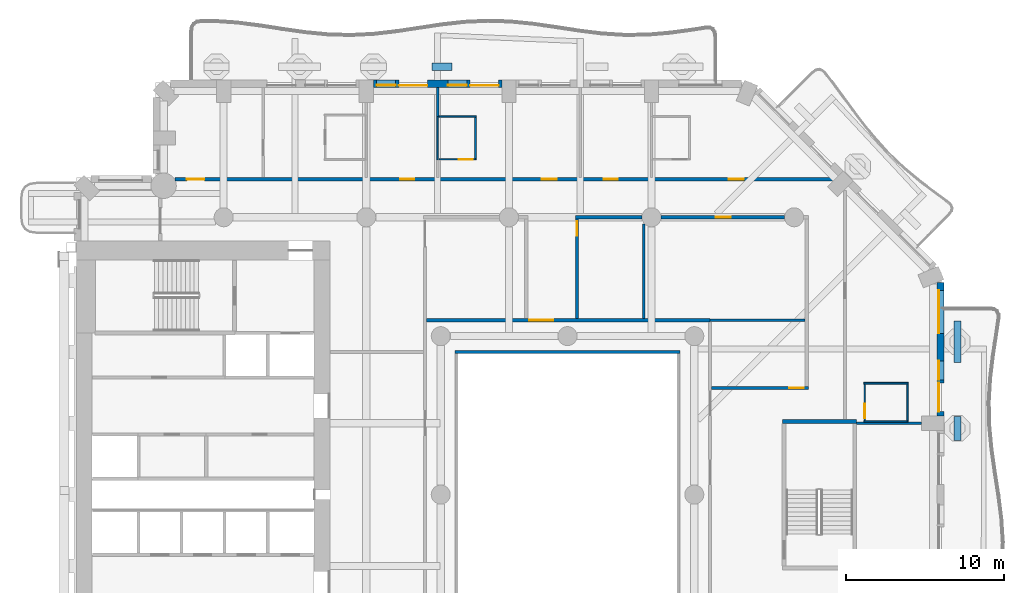
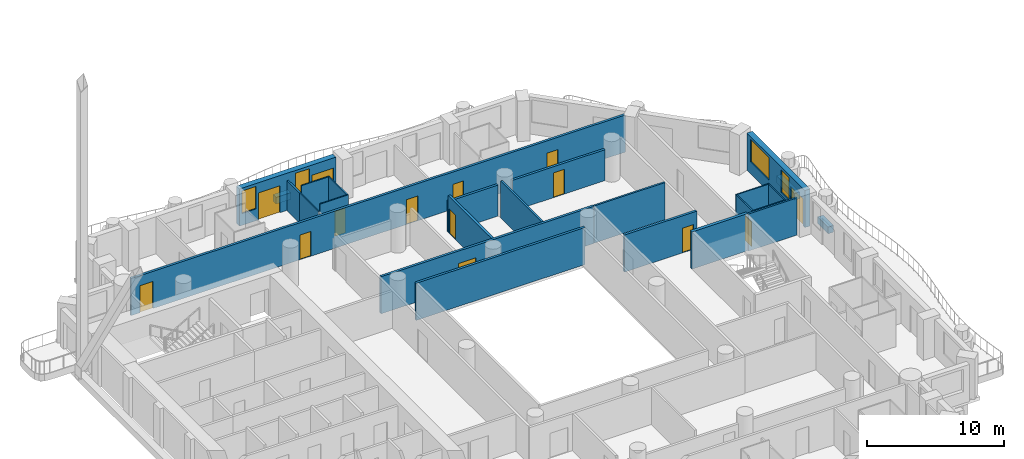
# One storey, part 10 of 24: 25 walls, 14 doors, 4 windows, 18 openings.
"""IFC4 building model written with IfcOpenShell, lengths in metres."""

from ifc_helpers import new_model, si_unit, direction, frame, frame_2d, origin, place, context, subcontext, project, spatial, rectangle, extrude, material, layer, layer_set, type_object, element, fill, save


model = new_model("IFC4")

# Units and contexts
model_context = context("Model", 3, precision=1e-05, world=origin(), true_north=direction((0.0, 1.0)))
body_context = subcontext(model_context, "Body", "Model", "MODEL_VIEW")
ifc_project = project(units=[si_unit("LENGTHUNIT", "METRE"), si_unit("AREAUNIT", "SQUARE_METRE"), si_unit("VOLUMEUNIT", "CUBIC_METRE"), si_unit("PLANEANGLEUNIT", "RADIAN"), si_unit("MASSUNIT", "GRAM", prefix="KILO")], contexts=[model_context])

# Site, building, storey
site_placement = place(None, origin())
site = spatial("IfcSite", under=ifc_project, at=site_placement, CompositionType="ELEMENT")
building_placement = place(site_placement, origin())
building = spatial("IfcBuilding", under=site, at=building_placement, Name="Cypress Arch Tower", CompositionType="ELEMENT")
storey_placement = place(building_placement, frame((0.0, 0.0, 102.300048828125)))
storey = spatial("IfcBuildingStorey", under=building, at=storey_placement, Name="L20", CompositionType="ELEMENT", Elevation=102.300048828125)

# Walls
ifc_material_1 = material(Name="Concrete C40/50, waterproofed", Category="concrete")
ifc_layer_1 = layer(ifc_material_1, 0.449951171875)
ifc_layer_set_1 = layer_set([ifc_layer_1], Name="Balcony planter wall PW450")
wall_type_1 = type_object("IfcWallType", Name="Balcony planter wall PW450", PredefinedType="SOLIDWALL", material=ifc_layer_set_1)
wall_1_placement = place(storey_placement, frame((25.60009765625, 3.42138671875, 0.0), z_axis=(0.0, 0.0, 1.0), x_axis=(0.0, 1.0, 0.0)))
element("IfcWall", 1, at=wall_1_placement, inside=storey, type_object=wall_type_1, Name="Balcony planter wall L20-A06.2", PredefinedType="SOLIDWALL", context=body_context, shape_type="SweptSolid", body=[
    extrude(rectangle(XDim=1.5224609375, YDim=0.449951171875, at=frame_2d((0.76123046875, 0.0))), origin(), (0.0, 0.0, 1.0), 0.599853515625),
])
wall_2_placement = place(storey_placement, frame((25.60009765625, 8.335693359375, 0.0), z_axis=(0.0, 0.0, 1.0), x_axis=(0.0, 1.0, 0.0)))
element("IfcWall", 2, at=wall_2_placement, inside=storey, type_object=wall_type_1, Name="Balcony planter wall L20-A06.3", PredefinedType="SOLIDWALL", context=body_context, shape_type="SweptSolid", body=[
    extrude(rectangle(XDim=2.6142578125, YDim=0.449951171875, at=frame_2d((1.30712890625, 0.0))), origin(), (0.0, 0.0, 1.0), 0.599853515625),
])
wall_3_placement = place(storey_placement, frame((-6.300048828125, 27.0, 0.0), z_axis=(0.0, 0.0, 1.0), x_axis=(-1.0, 0.0, 0.0)))
element("IfcWall", 3, at=wall_3_placement, inside=storey, type_object=wall_type_1, Name="Balcony planter wall L20-A08.3", PredefinedType="SOLIDWALL", context=body_context, shape_type="SweptSolid", body=[
    extrude(rectangle(XDim=1.25, YDim=0.449951171875, at=frame_2d((0.625, 0.0))), origin(), (0.0, 0.0, 1.0), 0.599853515625),
])

# Wall, openings, door, windows
ifc_material_2 = material(Name="Brick (red buff blend)", Category="masonry")
ifc_layer_2 = layer(ifc_material_2, 0.449951171875)
ifc_layer_set_2 = layer_set([ifc_layer_2], Name="Brick pier and spandrel wall BW450")
wall_type_2 = type_object("IfcWallType", Name="Brick pier and spandrel wall BW450", PredefinedType="SOLIDWALL", material=ifc_layer_set_2)
wall_4_placement = place(storey_placement, frame((24.52490234375, 4.949951171875, 0.0), z_axis=(0.0, 0.0, 1.0), x_axis=(0.0, 1.0, 0.0)))
wall_4 = element("IfcWall", 4, at=wall_4_placement, inside=storey, type_object=wall_type_2, Name="Brick wall L20 A06.3", PredefinedType="SOLIDWALL", context=body_context, shape_type="SweptSolid", body=[
    extrude(rectangle(XDim=8.438720703125, YDim=0.449951171875, at=frame_2d((4.21923828125, 0.0))), origin(), (0.0, 0.0, 1.0), 3.300048828125),
])
opening_1_placement = place(wall_4_placement, frame((0.2939453125, 0.0, 0.0)))
opening_1 = element("IfcOpeningElement", 5, at=opening_1_placement, cuts=wall_4, Name="Opening D-L20-A06.3.1", PredefinedType="OPENING", context=body_context, shape_type="SweptSolid", body=[
    extrude(rectangle(XDim=1.800048828125, YDim=2.39990234375, at=frame_2d((0.89990234375, 1.199951171875))), frame((0.0, 0.23486328125, 0.0), z_axis=(0.0, -1.0, 0.0), x_axis=(1.0, 0.0, 0.0)), (0.0, 0.0, 1.0), 0.469970703125),
])
opening_2_placement = place(wall_4_placement, frame((2.2939453125, 0.0, 1.050048828125)))
opening_2 = element("IfcOpeningElement", 6, at=opening_2_placement, cuts=wall_4, Name="Opening W120HD", PredefinedType="OPENING", context=body_context, shape_type="SweptSolid", body=[
    extrude(rectangle(XDim=1.199951171875, YDim=2.0, at=frame_2d((0.60009765625, 1.0))), frame((0.0, 0.23486328125, 0.0), z_axis=(0.0, -1.0, 0.0), x_axis=(1.0, 0.0, 0.0)), (0.0, 0.0, 1.0), 0.469970703125),
])
opening_3_placement = place(wall_4_placement, frame((5.231689453125, 0.0, 1.050048828125)))
opening_3 = element("IfcOpeningElement", 7, at=opening_3_placement, cuts=wall_4, Name="Opening W270HD", PredefinedType="OPENING", context=body_context, shape_type="SweptSolid", body=[
    extrude(rectangle(XDim=2.699951171875, YDim=2.0, at=frame_2d((1.35009765625, 1.0))), frame((0.0, 0.23486328125, 0.0), z_axis=(0.0, -1.0, 0.0), x_axis=(1.0, 0.0, 0.0)), (0.0, 0.0, 1.0), 0.469970703125),
])
ifc_material_3 = material(Name="Anodised aluminium, bronze finish, laminated low-emissivity double glazing, large-missile impact rated", Category="aluminium")
door_type_1 = type_object("IfcDoorType", Name="Balcony sliding door 1800x2400", OperationType="SLIDING_TO_LEFT", PredefinedType="DOOR", material=ifc_material_3)
door_1_placement = place(opening_1_placement, origin())
door_1 = element("IfcDoor", 8, at=door_1_placement, inside=storey, type_object=door_type_1, Name="Balcony door L20 A06.3.1", OperationType="SLIDING_TO_LEFT", OverallHeight=2.39990234375, OverallWidth=1.800048828125, PredefinedType="DOOR", context=body_context, shape_type="SweptSolid", body=[
    extrude(rectangle(XDim=1.800048828125, YDim=2.39990234375, at=frame_2d((0.89990234375, 1.199951171875))), frame((0.0, 0.1298828125, 0.0), z_axis=(0.0, -1.0, 0.0), x_axis=(1.0, 0.0, 0.0)), (0.0, 0.0, 1.0), 0.050048828125),
])
fill(opening_1, door_1)
ifc_material_4 = material(Name="Anodised aluminium, bronze finish, laminated low-emissivity double glazing, large-missile impact rated", Category="aluminium")
window_type_1 = type_object("IfcWindowType", Name="Window Hotel 1200x2000 debris-rated", PartitioningType="SINGLE_PANEL", PredefinedType="WINDOW", material=ifc_material_4)
window_1_placement = place(opening_2_placement, origin())
window_1 = element("IfcWindow", 9, at=window_1_placement, inside=storey, type_object=window_type_1, Name="Window L20 A06.3.1", OverallHeight=2.0, OverallWidth=1.199951171875, PartitioningType="SINGLE_PANEL", PredefinedType="WINDOW", context=body_context, shape_type="SweptSolid", body=[
    extrude(rectangle(XDim=1.199951171875, YDim=2.0, at=frame_2d((0.60009765625, 1.0))), frame((0.0, 0.135009765625, 0.0), z_axis=(0.0, -1.0, 0.0), x_axis=(1.0, 0.0, 0.0)), (0.0, 0.0, 1.0), 0.06005859375),
])
fill(opening_2, window_1)
ifc_material_5 = material(Name="Anodised aluminium, bronze finish, laminated low-emissivity double glazing, large-missile impact rated", Category="aluminium")
window_type_2 = type_object("IfcWindowType", Name="Window Hotel 2700x2000 debris-rated", PartitioningType="SINGLE_PANEL", PredefinedType="WINDOW", material=ifc_material_5)
window_2_placement = place(opening_3_placement, origin())
window_2 = element("IfcWindow", 10, at=window_2_placement, inside=storey, type_object=window_type_2, Name="Window L20 A06.3.2", OverallHeight=2.0, OverallWidth=2.699951171875, PartitioningType="SINGLE_PANEL", PredefinedType="WINDOW", context=body_context, shape_type="SweptSolid", body=[
    extrude(rectangle(XDim=2.699951171875, YDim=2.0, at=frame_2d((1.35009765625, 1.0))), frame((0.0, 0.135009765625, 0.0), z_axis=(0.0, -1.0, 0.0), x_axis=(1.0, 0.0, 0.0)), (0.0, 0.0, 1.0), 0.06005859375),
])
fill(opening_3, window_2)

# Wall, openings, doors, windows
wall_5_placement = place(storey_placement, frame((-3.14990234375, 25.925048828125, 0.0), z_axis=(0.0, 0.0, 1.0), x_axis=(-1.0, 0.0, 0.0)))
wall_5 = element("IfcWall", 11, at=wall_5_placement, inside=storey, type_object=wall_type_2, Name="Brick wall L20 A08.2", PredefinedType="SOLIDWALL", context=body_context, shape_type="SweptSolid", body=[
    extrude(rectangle(XDim=8.10009765625, YDim=0.449951171875, at=frame_2d((4.050048828125, 0.0))), origin(), (0.0, 0.0, 1.0), 3.300048828125),
])
opening_4_placement = place(wall_5_placement, frame((0.199951171875, 0.0, 0.0)))
opening_4 = element("IfcOpeningElement", 12, at=opening_4_placement, cuts=wall_5, Name="Opening D-L20-A08.2.1", PredefinedType="OPENING", context=body_context, shape_type="SweptSolid", body=[
    extrude(rectangle(XDim=1.800048828125, YDim=2.39990234375, at=frame_2d((0.89990234375, 1.199951171875))), frame((0.0, 0.23486328125, 0.0), z_axis=(0.0, -1.0, 0.0), x_axis=(1.0, 0.0, 0.0)), (0.0, 0.0, 1.0), 0.469970703125),
])
opening_5_placement = place(wall_5_placement, frame((2.199951171875, 0.0, 1.050048828125)))
opening_5 = element("IfcOpeningElement", 13, at=opening_5_placement, cuts=wall_5, Name="Opening W120HD", PredefinedType="OPENING", context=body_context, shape_type="SweptSolid", body=[
    extrude(rectangle(XDim=1.199951171875, YDim=2.0, at=frame_2d((0.60009765625, 1.0))), frame((0.0, 0.23486328125, 0.0), z_axis=(0.0, -1.0, 0.0), x_axis=(1.0, 0.0, 0.0)), (0.0, 0.0, 1.0), 0.469970703125),
])
opening_6_placement = place(wall_5_placement, frame((4.699951171875, 0.0, 0.0)))
opening_6 = element("IfcOpeningElement", 14, at=opening_6_placement, cuts=wall_5, Name="Opening D-L20-A08.2.2", PredefinedType="OPENING", context=body_context, shape_type="SweptSolid", body=[
    extrude(rectangle(XDim=1.800048828125, YDim=2.39990234375, at=frame_2d((0.89990234375, 1.199951171875))), frame((0.0, 0.23486328125, 0.0), z_axis=(0.0, -1.0, 0.0), x_axis=(1.0, 0.0, 0.0)), (0.0, 0.0, 1.0), 0.469970703125),
])
opening_7_placement = place(wall_5_placement, frame((6.699951171875, 0.0, 1.050048828125)))
opening_7 = element("IfcOpeningElement", 15, at=opening_7_placement, cuts=wall_5, Name="Opening W120HD", PredefinedType="OPENING", context=body_context, shape_type="SweptSolid", body=[
    extrude(rectangle(XDim=1.199951171875, YDim=2.0, at=frame_2d((0.60009765625, 1.0))), frame((0.0, 0.23486328125, 0.0), z_axis=(0.0, -1.0, 0.0), x_axis=(1.0, 0.0, 0.0)), (0.0, 0.0, 1.0), 0.469970703125),
])
door_2_placement = place(opening_4_placement, origin())
door_2 = element("IfcDoor", 16, at=door_2_placement, inside=storey, type_object=door_type_1, Name="Balcony door L20 A08.2.1", OperationType="SLIDING_TO_LEFT", OverallHeight=2.39990234375, OverallWidth=1.800048828125, PredefinedType="DOOR", context=body_context, shape_type="SweptSolid", body=[
    extrude(rectangle(XDim=1.800048828125, YDim=2.39990234375, at=frame_2d((0.89990234375, 1.199951171875))), frame((0.0, 0.1298828125, 0.0), z_axis=(0.0, -1.0, 0.0), x_axis=(1.0, 0.0, 0.0)), (0.0, 0.0, 1.0), 0.050048828125),
])
fill(opening_4, door_2)
door_3_placement = place(opening_6_placement, origin())
door_3 = element("IfcDoor", 17, at=door_3_placement, inside=storey, type_object=door_type_1, Name="Balcony door L20 A08.2.2", OperationType="SLIDING_TO_LEFT", OverallHeight=2.39990234375, OverallWidth=1.800048828125, PredefinedType="DOOR", context=body_context, shape_type="SweptSolid", body=[
    extrude(rectangle(XDim=1.800048828125, YDim=2.39990234375, at=frame_2d((0.89990234375, 1.199951171875))), frame((0.0, 0.1298828125, 0.0), z_axis=(0.0, -1.0, 0.0), x_axis=(1.0, 0.0, 0.0)), (0.0, 0.0, 1.0), 0.050048828125),
])
fill(opening_6, door_3)
window_3_placement = place(opening_5_placement, origin())
window_3 = element("IfcWindow", 18, at=window_3_placement, inside=storey, type_object=window_type_1, Name="Window L20 A08.2.1", OverallHeight=2.0, OverallWidth=1.199951171875, PartitioningType="SINGLE_PANEL", PredefinedType="WINDOW", context=body_context, shape_type="SweptSolid", body=[
    extrude(rectangle(XDim=1.199951171875, YDim=2.0, at=frame_2d((0.60009765625, 1.0))), frame((0.0, 0.135009765625, 0.0), z_axis=(0.0, -1.0, 0.0), x_axis=(1.0, 0.0, 0.0)), (0.0, 0.0, 1.0), 0.06005859375),
])
fill(opening_5, window_3)
window_4_placement = place(opening_7_placement, origin())
window_4 = element("IfcWindow", 19, at=window_4_placement, inside=storey, type_object=window_type_1, Name="Window L20 A08.2.2", OverallHeight=2.0, OverallWidth=1.199951171875, PartitioningType="SINGLE_PANEL", PredefinedType="WINDOW", context=body_context, shape_type="SweptSolid", body=[
    extrude(rectangle(XDim=1.199951171875, YDim=2.0, at=frame_2d((0.60009765625, 1.0))), frame((0.0, 0.135009765625, 0.0), z_axis=(0.0, -1.0, 0.0), x_axis=(1.0, 0.0, 0.0)), (0.0, 0.0, 1.0), 0.06005859375),
])
fill(opening_7, window_4)

# Wall, openings, doors
ifc_material_6 = material(Name="Concrete blockwork, plastered, rated", Category="masonry")
ifc_layer_3 = layer(ifc_material_6, 0.199951171875)
ifc_layer_set_3 = layer_set([ifc_layer_3], Name="Corridor wall FW200")
wall_type_3 = type_object("IfcWallType", Name="Corridor wall FW200", PredefinedType="PARTITIONING", material=ifc_layer_set_3)
wall_6_placement = place(storey_placement, frame((-23.765380859375, 19.89990234375, 0.0), z_axis=(0.0, 0.0, 1.0), x_axis=(1.0, 0.0, 0.0)))
wall_6 = element("IfcWall", 20, at=wall_6_placement, inside=storey, type_object=wall_type_3, Name="Corridor wall", PredefinedType="PARTITIONING", context=body_context, shape_type="SweptSolid", body=[
    extrude(rectangle(XDim=41.549072265625, YDim=0.199951171875, at=frame_2d((20.7744140625, 0.0))), origin(), (0.0, 0.0, 1.0), 3.300048828125),
])
opening_8_placement = place(wall_6_placement, frame((14.199951171875, 0.0, 0.0)))
opening_8 = element("IfcOpeningElement", 21, at=opening_8_placement, cuts=wall_6, Name="Opening D05", PredefinedType="OPENING", context=body_context, shape_type="SweptSolid", body=[
    extrude(rectangle(XDim=0.89990234375, YDim=2.199951171875, at=frame_2d((0.449951171875, 1.10009765625))), frame((0.0, 0.10986328125, 0.0), z_axis=(0.0, -1.0, 0.0), x_axis=(1.0, 0.0, 0.0)), (0.0, 0.0, 1.0), 0.219970703125),
])
opening_9_placement = place(wall_6_placement, frame((27.050048828125, 0.0, 0.0)))
opening_9 = element("IfcOpeningElement", 22, at=opening_9_placement, cuts=wall_6, Name="Opening D05", PredefinedType="OPENING", context=body_context, shape_type="SweptSolid", body=[
    extrude(rectangle(XDim=0.89990234375, YDim=2.199951171875, at=frame_2d((0.449951171875, 1.10009765625))), frame((0.0, 0.10986328125, 0.0), z_axis=(0.0, -1.0, 0.0), x_axis=(1.0, 0.0, 0.0)), (0.0, 0.0, 1.0), 0.219970703125),
])
opening_10_placement = place(wall_6_placement, frame((0.75, 0.0, 0.0)))
opening_10 = element("IfcOpeningElement", 23, at=opening_10_placement, cuts=wall_6, Name="Opening D01", PredefinedType="OPENING", context=body_context, shape_type="SweptSolid", body=[
    extrude(rectangle(XDim=1.10009765625, YDim=2.39990234375, at=frame_2d((0.550048828125, 1.199951171875))), frame((0.0, 0.10986328125, 0.0), z_axis=(0.0, -1.0, 0.0), x_axis=(1.0, 0.0, 0.0)), (0.0, 0.0, 1.0), 0.219970703125),
])
opening_11_placement = place(wall_6_placement, frame((23.14990234375, 0.0, 0.0)))
opening_11 = element("IfcOpeningElement", 24, at=opening_11_placement, cuts=wall_6, Name="Opening D02", PredefinedType="OPENING", context=body_context, shape_type="SweptSolid", body=[
    extrude(rectangle(XDim=0.949951171875, YDim=2.199951171875, at=frame_2d((0.47509765625, 1.10009765625))), frame((0.0, 0.10986328125, 0.0), z_axis=(0.0, -1.0, 0.0), x_axis=(1.0, 0.0, 0.0)), (0.0, 0.0, 1.0), 0.219970703125),
])
opening_12_placement = place(wall_6_placement, frame((34.949951171875, 0.0, 0.0)))
opening_12 = element("IfcOpeningElement", 25, at=opening_12_placement, cuts=wall_6, Name="Opening D02", PredefinedType="OPENING", context=body_context, shape_type="SweptSolid", body=[
    extrude(rectangle(XDim=0.949951171875, YDim=2.199951171875, at=frame_2d((0.47509765625, 1.10009765625))), frame((0.0, 0.10986328125, 0.0), z_axis=(0.0, -1.0, 0.0), x_axis=(1.0, 0.0, 0.0)), (0.0, 0.0, 1.0), 0.219970703125),
])
ifc_material_7 = material(Name="Timber flush door, fire resisting", Category="wood")
door_type_2 = type_object("IfcDoorType", Name="Room door D02 950x2200", OperationType="SINGLE_SWING_LEFT", PredefinedType="DOOR", material=ifc_material_7)
door_4_placement = place(opening_11_placement, origin())
door_4 = element("IfcDoor", 26, at=door_4_placement, inside=storey, type_object=door_type_2, Name="Room door", OperationType="SINGLE_SWING_RIGHT", OverallHeight=2.199951171875, OverallWidth=0.949951171875, PredefinedType="DOOR", context=body_context, shape_type="SweptSolid", body=[
    extrude(rectangle(XDim=0.949951171875, YDim=2.199951171875, at=frame_2d((0.47509765625, 1.10009765625))), frame((0.0, 0.02490234375, 0.0), z_axis=(0.0, -1.0, 0.0), x_axis=(1.0, 0.0, 0.0)), (0.0, 0.0, 1.0), 0.050048828125),
])
fill(opening_11, door_4)
door_5_placement = place(opening_12_placement, origin())
door_5 = element("IfcDoor", 27, at=door_5_placement, inside=storey, type_object=door_type_2, Name="Room door", OperationType="SINGLE_SWING_RIGHT", OverallHeight=2.199951171875, OverallWidth=0.949951171875, PredefinedType="DOOR", context=body_context, shape_type="SweptSolid", body=[
    extrude(rectangle(XDim=0.949951171875, YDim=2.199951171875, at=frame_2d((0.47509765625, 1.10009765625))), frame((0.0, 0.02490234375, 0.0), z_axis=(0.0, -1.0, 0.0), x_axis=(1.0, 0.0, 0.0)), (0.0, 0.0, 1.0), 0.050048828125),
])
fill(opening_12, door_5)
ifc_material_8 = material(Name="Timber flush door", Category="wood")
door_type_3 = type_object("IfcDoorType", Name="Service door D05 900x2200", OperationType="SINGLE_SWING_LEFT", PredefinedType="DOOR", material=ifc_material_8)
door_6_placement = place(opening_8_placement, origin())
door_6 = element("IfcDoor", 28, at=door_6_placement, inside=storey, type_object=door_type_3, Name="Service door", OperationType="SINGLE_SWING_RIGHT", OverallHeight=2.199951171875, OverallWidth=0.89990234375, PredefinedType="DOOR", context=body_context, shape_type="SweptSolid", body=[
    extrude(rectangle(XDim=0.89990234375, YDim=2.199951171875, at=frame_2d((0.449951171875, 1.10009765625))), frame((0.0, 0.02490234375, 0.0), z_axis=(0.0, -1.0, 0.0), x_axis=(1.0, 0.0, 0.0)), (0.0, 0.0, 1.0), 0.050048828125),
])
fill(opening_8, door_6)
door_7_placement = place(opening_9_placement, origin())
door_7 = element("IfcDoor", 29, at=door_7_placement, inside=storey, type_object=door_type_3, Name="Service door", OperationType="SINGLE_SWING_LEFT", OverallHeight=2.199951171875, OverallWidth=0.89990234375, PredefinedType="DOOR", context=body_context, shape_type="SweptSolid", body=[
    extrude(rectangle(XDim=0.89990234375, YDim=2.199951171875, at=frame_2d((0.449951171875, 1.10009765625))), frame((0.0, 0.02490234375, 0.0), z_axis=(0.0, -1.0, 0.0), x_axis=(1.0, 0.0, 0.0)), (0.0, 0.0, 1.0), 0.050048828125),
])
fill(opening_9, door_7)
ifc_material_9 = material(Name="Timber flush door, fire resisting, self-closing", Category="wood")
door_type_4 = type_object("IfcDoorType", Name="Unit entrance door D01 1100x2400", OperationType="SINGLE_SWING_LEFT", PredefinedType="DOOR", material=ifc_material_9)
door_8_placement = place(opening_10_placement, origin())
door_8 = element("IfcDoor", 30, at=door_8_placement, inside=storey, type_object=door_type_4, Name="Unit entrance door", OperationType="SINGLE_SWING_LEFT", OverallHeight=2.39990234375, OverallWidth=1.10009765625, PredefinedType="DOOR", context=body_context, shape_type="SweptSolid", body=[
    extrude(rectangle(XDim=1.10009765625, YDim=2.39990234375, at=frame_2d((0.550048828125, 1.199951171875))), frame((0.0, 0.02490234375, 0.0), z_axis=(0.0, -1.0, 0.0), x_axis=(1.0, 0.0, 0.0)), (0.0, 0.0, 1.0), 0.050048828125),
])
fill(opening_10, door_8)

# Wall, opening, door
wall_7_placement = place(storey_placement, frame((-7.89990234375, 11.0, 0.0), z_axis=(0.0, 0.0, 1.0), x_axis=(1.0, 0.0, 0.0)))
wall_7 = element("IfcWall", 31, at=wall_7_placement, inside=storey, type_object=wall_type_3, Name="Corridor wall", PredefinedType="PARTITIONING", context=body_context, shape_type="SweptSolid", body=[
    extrude(rectangle(XDim=17.89990234375, YDim=0.199951171875, at=frame_2d((8.949951171875, 0.0))), origin(), (0.0, 0.0, 1.0), 3.300048828125),
])
opening_13_placement = place(wall_7_placement, frame((6.5, 0.0, 0.0)))
opening_13 = element("IfcOpeningElement", 32, at=opening_13_placement, cuts=wall_7, Name="Opening D04", PredefinedType="OPENING", context=body_context, shape_type="SweptSolid", body=[
    extrude(rectangle(XDim=1.5, YDim=2.199951171875, at=frame_2d((0.75, 1.10009765625))), frame((0.0, 0.10986328125, 0.0), z_axis=(0.0, -1.0, 0.0), x_axis=(1.0, 0.0, 0.0)), (0.0, 0.0, 1.0), 0.219970703125),
])
ifc_material_10 = material(Name="Timber double door", Category="wood")
door_type_5 = type_object("IfcDoorType", Name="Double door D04 1500x2200", OperationType="DOUBLE_DOOR_SINGLE_SWING", PredefinedType="DOOR", material=ifc_material_10)
door_9_placement = place(opening_13_placement, origin())
door_9 = element("IfcDoor", 33, at=door_9_placement, inside=storey, type_object=door_type_5, Name="Double door", OperationType="DOUBLE_DOOR_SINGLE_SWING", OverallHeight=2.199951171875, OverallWidth=1.5, PredefinedType="DOOR", context=body_context, shape_type="SweptSolid", body=[
    extrude(rectangle(XDim=1.5, YDim=2.199951171875, at=frame_2d((0.75, 1.10009765625))), frame((0.0, 0.02490234375, 0.0), z_axis=(0.0, -1.0, 0.0), x_axis=(1.0, 0.0, 0.0)), (0.0, 0.0, 1.0), 0.050048828125),
])
fill(opening_13, door_9)

# Wall
wall_8_placement = place(storey_placement, frame((-6.10009765625, 9.0, 0.0), z_axis=(0.0, 0.0, 1.0), x_axis=(1.0, 0.0, 0.0)))
element("IfcWall", 34, at=wall_8_placement, inside=storey, type_object=wall_type_3, Name="Corridor wall", PredefinedType="PARTITIONING", context=body_context, shape_type="SweptSolid", body=[
    extrude(rectangle(XDim=14.2001953125, YDim=0.199951171875, at=frame_2d((7.10009765625, 0.0))), origin(), (0.0, 0.0, 1.0), 3.300048828125),
])

# Wall, opening, door
wall_9_placement = place(storey_placement, frame((1.60009765625, 11.10009765625, 0.0), z_axis=(0.0, 0.0, 1.0), x_axis=(0.0, 1.0, 0.0)))
wall_9 = element("IfcWall", 35, at=wall_9_placement, inside=storey, type_object=wall_type_3, Name="Corridor wall", PredefinedType="PARTITIONING", context=body_context, shape_type="SweptSolid", body=[
    extrude(rectangle(XDim=6.2998046875, YDim=0.199951171875, at=frame_2d((3.14990234375, 0.0))), origin(), (0.0, 0.0, 1.0), 3.300048828125),
])
opening_14_placement = place(wall_9_placement, frame((5.25, 0.0, 0.0)))
opening_14 = element("IfcOpeningElement", 36, at=opening_14_placement, cuts=wall_9, Name="Opening D05", PredefinedType="OPENING", context=body_context, shape_type="SweptSolid", body=[
    extrude(rectangle(XDim=0.89990234375, YDim=2.199951171875, at=frame_2d((0.449951171875, 1.10009765625))), frame((0.0, 0.10986328125, 0.0), z_axis=(0.0, -1.0, 0.0), x_axis=(1.0, 0.0, 0.0)), (0.0, 0.0, 1.0), 0.219970703125),
])
door_10_placement = place(opening_14_placement, origin())
door_10 = element("IfcDoor", 37, at=door_10_placement, inside=storey, type_object=door_type_3, Name="Service door", OperationType="SINGLE_SWING_LEFT", OverallHeight=2.199951171875, OverallWidth=0.89990234375, PredefinedType="DOOR", context=body_context, shape_type="SweptSolid", body=[
    extrude(rectangle(XDim=0.89990234375, YDim=2.199951171875, at=frame_2d((0.449951171875, 1.10009765625))), frame((0.0, 0.02490234375, 0.0), z_axis=(0.0, -1.0, 0.0), x_axis=(1.0, 0.0, 0.0)), (0.0, 0.0, 1.0), 0.050048828125),
])
fill(opening_14, door_10)

# Wall
wall_10_placement = place(storey_placement, frame((1.5, 17.5, 0.0), z_axis=(0.0, 0.0, 1.0), x_axis=(1.0, 0.0, 0.0)))
element("IfcWall", 38, at=wall_10_placement, inside=storey, type_object=wall_type_3, Name="Corridor wall", PredefinedType="PARTITIONING", context=body_context, shape_type="SweptSolid", body=[
    extrude(rectangle(XDim=4.199951171875, YDim=0.199951171875, at=frame_2d((2.10009765625, 0.0))), origin(), (0.0, 0.0, 1.0), 2.75),
])

# Wall, opening, door
wall_11_placement = place(storey_placement, frame((6.89990234375, 17.5, 0.0), z_axis=(0.0, 0.0, 1.0), x_axis=(1.0, 0.0, 0.0)))
wall_11 = element("IfcWall", 39, at=wall_11_placement, inside=storey, type_object=wall_type_3, Name="Corridor wall", PredefinedType="PARTITIONING", context=body_context, shape_type="SweptSolid", body=[
    extrude(rectangle(XDim=7.800048828125, YDim=0.199951171875, at=frame_2d((3.89990234375, 0.0))), origin(), (0.0, 0.0, 1.0), 2.75),
])
opening_15_placement = place(wall_11_placement, frame((3.449951171875, 0.0, 0.0)))
opening_15 = element("IfcOpeningElement", 40, at=opening_15_placement, cuts=wall_11, Name="Opening D02", PredefinedType="OPENING", context=body_context, shape_type="SweptSolid", body=[
    extrude(rectangle(XDim=0.949951171875, YDim=2.199951171875, at=frame_2d((0.47509765625, 1.10009765625))), frame((0.0, 0.10986328125, 0.0), z_axis=(0.0, -1.0, 0.0), x_axis=(1.0, 0.0, 0.0)), (0.0, 0.0, 1.0), 0.219970703125),
])
door_11_placement = place(opening_15_placement, origin())
door_11 = element("IfcDoor", 41, at=door_11_placement, inside=storey, type_object=door_type_2, Name="Room door", OperationType="SINGLE_SWING_LEFT", OverallHeight=2.199951171875, OverallWidth=0.949951171875, PredefinedType="DOOR", context=body_context, shape_type="SweptSolid", body=[
    extrude(rectangle(XDim=0.949951171875, YDim=2.199951171875, at=frame_2d((0.47509765625, 1.10009765625))), frame((0.0, 0.02490234375, 0.0), z_axis=(0.0, -1.0, 0.0), x_axis=(1.0, 0.0, 0.0)), (0.0, 0.0, 1.0), 0.050048828125),
])
fill(opening_15, door_11)

wall_12_placement = place(storey_placement, frame((10.10009765625, 6.72509765625, 0.0), z_axis=(0.0, 0.0, 1.0), x_axis=(1.0, 0.0, 0.0)))
wall_12 = element("IfcWall", 42, at=wall_12_placement, inside=storey, type_object=wall_type_3, Name="Corridor wall", PredefinedType="PARTITIONING", context=body_context, shape_type="SweptSolid", body=[
    extrude(rectangle(XDim=6.099853515625, YDim=0.199951171875, at=frame_2d((3.0498046875, 0.0))), origin(), (0.0, 0.0, 1.0), 3.300048828125),
])
opening_16_placement = place(wall_12_placement, frame((4.89990234375, 0.0, 0.0)))
opening_16 = element("IfcOpeningElement", 43, at=opening_16_placement, cuts=wall_12, Name="Opening D05", PredefinedType="OPENING", context=body_context, shape_type="SweptSolid", body=[
    extrude(rectangle(XDim=0.89990234375, YDim=2.199951171875, at=frame_2d((0.449951171875, 1.10009765625))), frame((0.0, 0.10986328125, 0.0), z_axis=(0.0, -1.0, 0.0), x_axis=(1.0, 0.0, 0.0)), (0.0, 0.0, 1.0), 0.219970703125),
])
door_12_placement = place(opening_16_placement, origin())
door_12 = element("IfcDoor", 44, at=door_12_placement, inside=storey, type_object=door_type_3, Name="Service door", OperationType="SINGLE_SWING_RIGHT", OverallHeight=2.199951171875, OverallWidth=0.89990234375, PredefinedType="DOOR", context=body_context, shape_type="SweptSolid", body=[
    extrude(rectangle(XDim=0.89990234375, YDim=2.199951171875, at=frame_2d((0.449951171875, 1.10009765625))), frame((0.0, 0.02490234375, 0.0), z_axis=(0.0, -1.0, 0.0), x_axis=(1.0, 0.0, 0.0)), (0.0, 0.0, 1.0), 0.050048828125),
])
fill(opening_16, door_12)

# Walls
ifc_material_11 = material(Name="Blockwork, plastered both sides", Category="masonry")
ifc_layer_4 = layer(ifc_material_11, 0.14990234375)
ifc_layer_set_4 = layer_set([ifc_layer_4], Name="Partition PW150")
wall_type_4 = type_object("IfcWallType", Name="Partition PW150", PredefinedType="PARTITIONING", material=ifc_layer_set_4)
wall_13_placement = place(storey_placement, frame((-7.199951171875, 23.8701171875, 0.0), z_axis=(0.0, 0.0, 1.0), x_axis=(0.0, 1.0, 0.0)))
element("IfcWall", 45, at=wall_13_placement, inside=storey, type_object=wall_type_4, Name="Partition", PredefinedType="PARTITIONING", context=body_context, shape_type="SweptSolid", body=[
    extrude(rectangle(XDim=1.829833984375, YDim=0.14990234375, at=frame_2d((0.9150390625, 0.0))), origin(), (0.0, 0.0, 1.0), 2.64990234375),
])
wall_14_placement = place(storey_placement, frame((5.800048828125, 11.10009765625, 0.0), z_axis=(0.0, 0.0, 1.0), x_axis=(0.0, 1.0, 0.0)))
element("IfcWall", 46, at=wall_14_placement, inside=storey, type_object=wall_type_4, Name="Partition", PredefinedType="PARTITIONING", context=body_context, shape_type="SweptSolid", body=[
    extrude(rectangle(XDim=5.98876953125, YDim=0.14990234375, at=frame_2d((2.994384765625, 0.0))), origin(), (0.0, 0.0, 1.0), 3.300048828125),
])
wall_15_placement = place(storey_placement, frame((10.0, 11.0, 0.0), z_axis=(0.0, 0.0, 1.0), x_axis=(1.0, 0.0, 0.0)))
element("IfcWall", 47, at=wall_15_placement, inside=storey, type_object=wall_type_4, Name="Partition", PredefinedType="PARTITIONING", context=body_context, shape_type="SweptSolid", body=[
    extrude(rectangle(XDim=6.0, YDim=0.14990234375, at=frame_2d((3.0, 0.0))), origin(), (0.0, 0.0, 1.0), 3.300048828125),
])
wall_16_placement = place(storey_placement, frame((19.25, 4.5, 0.0), z_axis=(0.0, 0.0, 1.0), x_axis=(1.0, 0.0, 0.0)))
element("IfcWall", 48, at=wall_16_placement, inside=storey, type_object=wall_type_4, Name="Partition", PredefinedType="PARTITIONING", context=body_context, shape_type="SweptSolid", body=[
    extrude(rectangle(XDim=4.10009765625, YDim=0.14990234375, at=frame_2d((2.050048828125, 0.0))), origin(), (0.0, 0.0, 1.0), 3.300048828125),
])
ifc_material_12 = material(Name="Concrete C50/60", Category="concrete")
ifc_layer_5 = layer(ifc_material_12, 0.25)
ifc_layer_set_5 = layer_set([ifc_layer_5], Name="Stair enclosure wall SW250")
wall_type_5 = type_object("IfcWallType", Name="Stair enclosure wall SW250", PredefinedType="SHEAR", material=ifc_layer_set_5)
wall_17_placement = place(storey_placement, frame((14.550048828125, 4.625, 0.0), z_axis=(0.0, 0.0, 1.0), x_axis=(1.0, 0.0, 0.0)))
element("IfcWall", 49, at=wall_17_placement, inside=storey, type_object=wall_type_5, Name="Stair enclosure wall", PredefinedType="SHEAR", context=body_context, shape_type="SweptSolid", body=[
    extrude(rectangle(XDim=4.699951171875, YDim=0.25, at=frame_2d((2.35009765625, 0.0))), origin(), (0.0, 0.0, 1.0), 3.300048828125),
])
ifc_material_13 = material(Name="Moisture resistant board on steel studs, tiled", Category="steel")
ifc_layer_6 = layer(ifc_material_13, 0.10009765625)
ifc_layer_set_6 = layer_set([ifc_layer_6], Name="Wet wall PW100")
wall_type_6 = type_object("IfcWallType", Name="Wet wall PW100", PredefinedType="PARTITIONING", material=ifc_layer_set_6)
wall_18_placement = place(storey_placement, frame((-7.199951171875, 21.1298828125, 0.0), z_axis=(0.0, 0.0, 1.0), x_axis=(0.0, 1.0, 0.0)))
element("IfcWall", 50, at=wall_18_placement, inside=storey, type_object=wall_type_6, Name="Wet wall", PredefinedType="PARTITIONING", context=body_context, shape_type="SweptSolid", body=[
    extrude(rectangle(XDim=2.740234375, YDim=0.10009765625, at=frame_2d((1.3701171875, 0.0))), origin(), (0.0, 0.0, 1.0), 2.64990234375),
])

# Wall, opening, door
wall_19_placement = place(storey_placement, frame((-7.125, 21.14990234375, 0.0), z_axis=(0.0, 0.0, 1.0), x_axis=(1.0, 0.0, 0.0)))
wall_19 = element("IfcWall", 51, at=wall_19_placement, inside=storey, type_object=wall_type_6, Name="Wet wall", PredefinedType="PARTITIONING", context=body_context, shape_type="SweptSolid", body=[
    extrude(rectangle(XDim=2.37109375, YDim=0.10009765625, at=frame_2d((1.185546875, 0.0))), origin(), (0.0, 0.0, 1.0), 3.300048828125),
])
opening_17_placement = place(wall_19_placement, frame((1.25, 0.0, 0.0)))
opening_17 = element("IfcOpeningElement", 52, at=opening_17_placement, cuts=wall_19, Name="Opening D03", PredefinedType="OPENING", context=body_context, shape_type="SweptSolid", body=[
    extrude(rectangle(XDim=0.89990234375, YDim=2.199951171875, at=frame_2d((0.449951171875, 1.10009765625))), frame((0.0, 0.06005859375, 0.0), z_axis=(0.0, -1.0, 0.0), x_axis=(1.0, 0.0, 0.0)), (0.0, 0.0, 1.0), 0.1201171875),
])
ifc_material_14 = material(Name="Timber flush door, moisture resistant", Category="wood")
door_type_6 = type_object("IfcDoorType", Name="Bathroom door D03 900x2200", OperationType="SINGLE_SWING_LEFT", PredefinedType="DOOR", material=ifc_material_14)
door_13_placement = place(opening_17_placement, origin())
door_13 = element("IfcDoor", 53, at=door_13_placement, inside=storey, type_object=door_type_6, Name="Bathroom door", OperationType="SINGLE_SWING_RIGHT", OverallHeight=2.199951171875, OverallWidth=0.89990234375, PredefinedType="DOOR", context=body_context, shape_type="SweptSolid", body=[
    extrude(rectangle(XDim=0.89990234375, YDim=2.199951171875, at=frame_2d((0.449951171875, 1.10009765625))), frame((0.0, 0.02490234375, 0.0), z_axis=(0.0, -1.0, 0.0), x_axis=(1.0, 0.0, 0.0)), (0.0, 0.0, 1.0), 0.050048828125),
])
fill(opening_17, door_13)

# Walls
wall_20_placement = place(storey_placement, frame((-7.125, 23.85009765625, 0.0), z_axis=(0.0, 0.0, 1.0), x_axis=(1.0, 0.0, 0.0)))
element("IfcWall", 54, at=wall_20_placement, inside=storey, type_object=wall_type_6, Name="Wet wall", PredefinedType="PARTITIONING", context=body_context, shape_type="SweptSolid", body=[
    extrude(rectangle(XDim=2.37109375, YDim=0.10009765625, at=frame_2d((1.185546875, 0.0))), origin(), (0.0, 0.0, 1.0), 3.300048828125),
])
wall_21_placement = place(storey_placement, frame((-4.803955078125, 21.199951171875, 0.0), z_axis=(0.0, 0.0, 1.0), x_axis=(0.0, 1.0, 0.0)))
element("IfcWall", 55, at=wall_21_placement, inside=storey, type_object=wall_type_6, Name="Wet wall", PredefinedType="PARTITIONING", context=body_context, shape_type="SweptSolid", body=[
    extrude(rectangle(XDim=2.60009765625, YDim=0.10009765625, at=frame_2d((1.300048828125, 0.0))), origin(), (0.0, 0.0, 1.0), 3.300048828125),
])

# Wall, opening, door
wall_22_placement = place(storey_placement, frame((19.75, 4.675048828125, 0.0), z_axis=(0.0, 0.0, 1.0), x_axis=(0.0, 1.0, 0.0)))
wall_22 = element("IfcWall", 56, at=wall_22_placement, inside=storey, type_object=wall_type_6, Name="Wet wall", PredefinedType="PARTITIONING", context=body_context, shape_type="SweptSolid", body=[
    extrude(rectangle(XDim=2.300048828125, YDim=0.10009765625, at=frame_2d((1.14990234375, 0.0))), origin(), (0.0, 0.0, 1.0), 3.300048828125),
])
opening_18_placement = place(wall_22_placement, frame((0.14990234375, 0.0, 0.0)))
opening_18 = element("IfcOpeningElement", 57, at=opening_18_placement, cuts=wall_22, Name="Opening D03", PredefinedType="OPENING", context=body_context, shape_type="SweptSolid", body=[
    extrude(rectangle(XDim=0.89990234375, YDim=2.199951171875, at=frame_2d((0.449951171875, 1.10009765625))), frame((0.0, 0.06005859375, 0.0), z_axis=(0.0, -1.0, 0.0), x_axis=(1.0, 0.0, 0.0)), (0.0, 0.0, 1.0), 0.1201171875),
])
door_14_placement = place(opening_18_placement, origin())
door_14 = element("IfcDoor", 58, at=door_14_placement, inside=storey, type_object=door_type_6, Name="Bathroom door", OperationType="SINGLE_SWING_RIGHT", OverallHeight=2.199951171875, OverallWidth=0.89990234375, PredefinedType="DOOR", context=body_context, shape_type="SweptSolid", body=[
    extrude(rectangle(XDim=0.89990234375, YDim=2.199951171875, at=frame_2d((0.449951171875, 1.10009765625))), frame((0.0, 0.02490234375, 0.0), z_axis=(0.0, -1.0, 0.0), x_axis=(1.0, 0.0, 0.0)), (0.0, 0.0, 1.0), 0.050048828125),
])
fill(opening_18, door_14)

# Walls
for number, where, z_axis, x_axis, name in (
    (59, (19.700927734375, 4.625, 0.0), (0.0, 0.0, 1.0), (1.0, 0.0, 0.0), "Wet wall"),
    (60, (19.700927734375, 7.02490234375, 0.0), (0.0, 0.0, 1.0), (1.0, 0.0, 0.0), "Wet wall"),
):
    element("IfcWall", number, at=place(storey_placement, frame(where, z_axis=z_axis, x_axis=x_axis)), inside=storey, type_object=wall_type_6, Name=name, PredefinedType="PARTITIONING", context=body_context, shape_type="SweptSolid", body=[
        extrude(rectangle(XDim=2.800048828125, YDim=0.10009765625, at=frame_2d((1.39990234375, 0.0))), origin(), (0.0, 0.0, 1.0), 3.300048828125),
    ])
wall_23_placement = place(storey_placement, frame((22.449951171875, 4.675048828125, 0.0), z_axis=(0.0, 0.0, 1.0), x_axis=(0.0, 1.0, 0.0)))
element("IfcWall", 61, at=wall_23_placement, inside=storey, type_object=wall_type_6, Name="Wet wall", PredefinedType="PARTITIONING", context=body_context, shape_type="SweptSolid", body=[
    extrude(rectangle(XDim=2.300048828125, YDim=0.10009765625, at=frame_2d((1.14990234375, 0.0))), origin(), (0.0, 0.0, 1.0), 3.300048828125),
])

save(model, "model.ifc")
